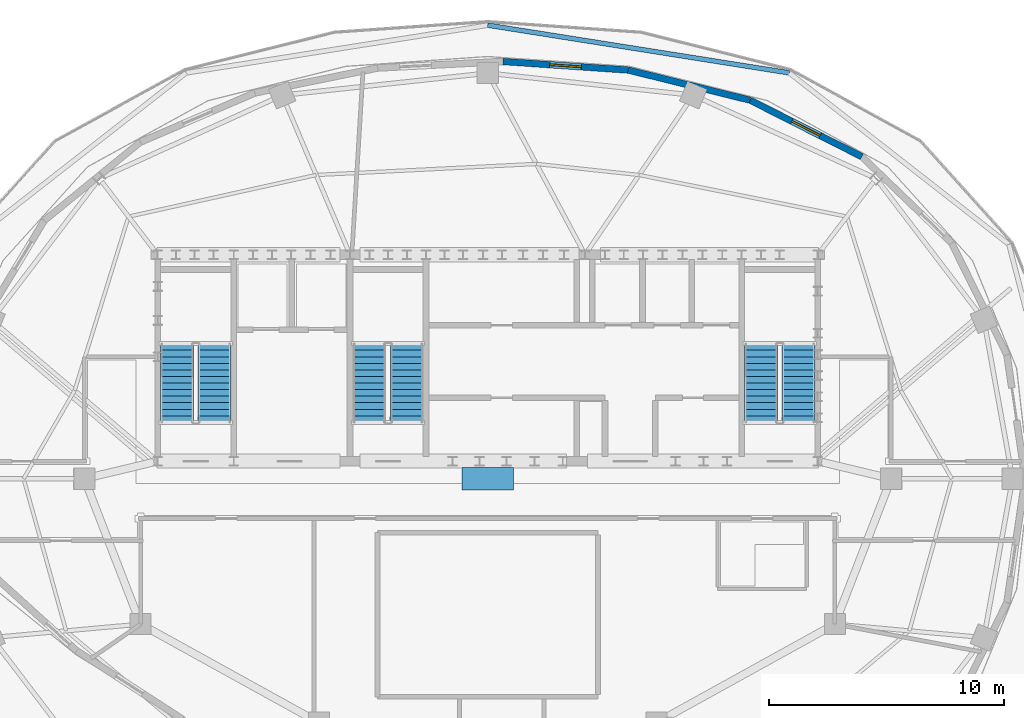
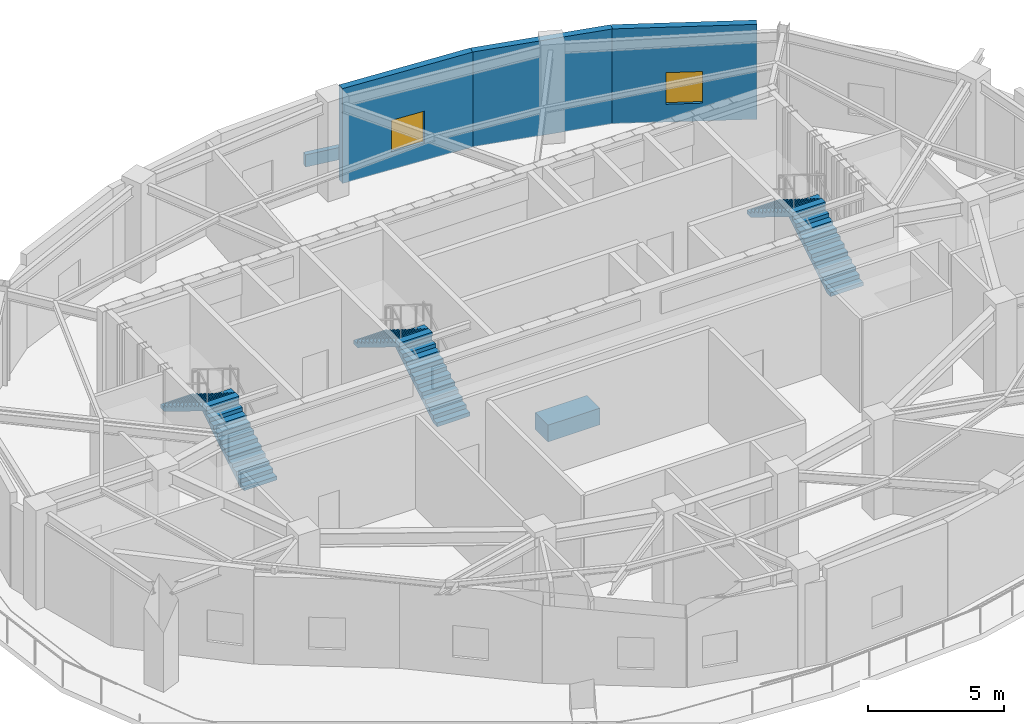
# One storey, part 6 of 10: 6 stair flights, 4 walls, 2 windows, 1 discrete accessory, 2 openings, 3 elements without a shape of their own.
"""IFC4 building model written with IfcOpenShell, lengths in metres."""

from ifc_helpers import new_model, si_unit, direction, frame, frame_2d, origin, origin_2d, place, context, subcontext, project, spatial, polyline, rectangle, outline, extrude, material, layer, layer_set, type_object, element, fill, aggregate, save


model = new_model("IFC4")

# Units and contexts
model_context = context("Model", 3, precision=1e-05, world=origin(), true_north=direction((0.0, 1.0)))
body_context = subcontext(model_context, "Body", "Model", "MODEL_VIEW")
ifc_project = project(units=[si_unit("LENGTHUNIT", "METRE"), si_unit("AREAUNIT", "SQUARE_METRE"), si_unit("VOLUMEUNIT", "CUBIC_METRE"), si_unit("PLANEANGLEUNIT", "RADIAN"), si_unit("MASSUNIT", "GRAM", prefix="KILO")], contexts=[model_context])

# Site, building, storey
site_placement = place(None, origin())
site = spatial("IfcSite", under=ifc_project, at=site_placement, CompositionType="ELEMENT")
building_placement = place(site_placement, origin())
building = spatial("IfcBuilding", under=site, at=building_placement, Name="Haldorwick Loom Tower", CompositionType="ELEMENT")
storey_placement = place(building_placement, frame((0.0, 0.0, 273.0)))
storey = spatial("IfcBuildingStorey", under=building, at=storey_placement, Name="L74", CompositionType="ELEMENT", Elevation=273.0)

# Wall, opening, window
ifc_material_1 = material(Name="Pressed Clay Face Brick and Insulated Masonry Backup Assembly", Category="masonry")
ifc_layer_1 = layer(ifc_material_1, 0.280029296875, Name="Pressed Clay Face Brick and Insulated Masonry Backup Assembly", Category="masonry")
ifc_layer_set_1 = layer_set([ifc_layer_1], Name="Pressed Clay Face Brick and Insulated Masonry Backup Assembly")
wall_type_1 = type_object("IfcWallType", Name="ARC-WL-EXT280", PredefinedType="STANDARD", material=ifc_layer_set_1)
wall_1_placement = place(storey_placement, frame((51.95703125, 39.728515625, 0.0), z_axis=(0.0, 0.0, 1.0), x_axis=(-0.892277906016, 0.451486587216, 0.0)))
wall_1 = element("IfcWall", 1, at=wall_1_placement, inside=storey, type_object=wall_type_1, Name="L74 Brick Pier and Spandrel Wall 4", PredefinedType="STANDARD", context=body_context, shape_type="SweptSolid", body=[
    extrude(rectangle(XDim=5.341552734375, YDim=0.280029296875, at=frame_2d((2.6708984375, 0.0))), origin(), (0.0, 0.0, 1.0), 4.260009765625),
])
opening_1_placement = place(wall_1_placement, frame((1.99560546875, 0.0, 0.800048828125)))
opening_1 = element("IfcOpeningElement", 2, at=opening_1_placement, cuts=wall_1, Name="Opening W-02B", PredefinedType="OPENING", context=body_context, shape_type="SweptSolid", body=[
    extrude(rectangle(XDim=1.35009765625, YDim=1.419921875, at=frame_2d((0.675048828125, 0.7099609375))), frame((0.0, 0.14990234375, 0.0), z_axis=(0.0, -1.0, 0.0), x_axis=(1.0, 0.0, 0.0)), (0.0, 0.0, 1.0), 0.300048828125),
])
ifc_material_2 = material(Name="Triple-Glazed Low-E Argon Insulated Glazing Unit", Category="glass")
window_type = type_object("IfcWindowType", Name="ARC-WIN-W135", PartitioningType="SINGLE_PANEL", PredefinedType="WINDOW", material=ifc_material_2)
window_1_placement = place(opening_1_placement, origin())
window_1 = element("IfcWindow", 3, at=window_1_placement, inside=storey, type_object=window_type, Name="L74 Deep-Set Zone 7A Window 4", OverallHeight=1.419921875, OverallWidth=1.35009765625, PartitioningType="SINGLE_PANEL", PredefinedType="WINDOW", context=body_context, shape_type="SweptSolid", body=[
    extrude(rectangle(XDim=1.35009765625, YDim=1.419921875, at=frame_2d((0.675048828125, 0.7099609375))), frame((0.0, 0.030029296875, 0.0), z_axis=(0.0, -1.0, 0.0), x_axis=(1.0, 0.0, 0.0)), (0.0, 0.0, 1.0), 0.06005859375),
])
fill(opening_1, window_1)

# Wall
wall_2_placement = place(storey_placement, frame((47.19091796875, 42.14013671875, 0.0), z_axis=(0.0, 0.0, 1.0), x_axis=(-0.970777153051, 0.239982747534, 0.0)))
element("IfcWall", 4, at=wall_2_placement, inside=storey, type_object=wall_type_1, Name="L74 Brick Pier and Spandrel Wall 5", PredefinedType="STANDARD", context=body_context, shape_type="SweptSolid", body=[
    extrude(rectangle(XDim=5.357177734375, YDim=0.280029296875, at=frame_2d((2.6787109375, 0.0))), origin(), (0.0, 0.0, 1.0), 4.260009765625),
])

# Wall, opening, window
wall_3_placement = place(storey_placement, frame((41.990234375, 43.42578125, 0.0), z_axis=(0.0, 0.0, 1.0), x_axis=(-0.997682285592, 0.068044522312, 0.0)))
wall_3 = element("IfcWall", 5, at=wall_3_placement, inside=storey, type_object=wall_type_1, Name="L74 Brick Pier and Spandrel Wall 6", PredefinedType="STANDARD", context=body_context, shape_type="SweptSolid", body=[
    extrude(rectangle(XDim=5.353271484375, YDim=0.280029296875, at=frame_2d((2.6767578125, 0.0))), origin(), (0.0, 0.0, 1.0), 4.260009765625),
])
opening_2_placement = place(wall_3_placement, frame((2.001708984375, 0.0, 0.800048828125)))
opening_2 = element("IfcOpeningElement", 6, at=opening_2_placement, cuts=wall_3, Name="Opening W-02B", PredefinedType="OPENING", context=body_context, shape_type="SweptSolid", body=[
    extrude(rectangle(XDim=1.35009765625, YDim=1.419921875, at=frame_2d((0.675048828125, 0.7099609375))), frame((0.0, 0.14990234375, 0.0), z_axis=(0.0, -1.0, 0.0), x_axis=(1.0, 0.0, 0.0)), (0.0, 0.0, 1.0), 0.300048828125),
])
window_2_placement = place(opening_2_placement, origin())
window_2 = element("IfcWindow", 7, at=window_2_placement, inside=storey, type_object=window_type, Name="L74 Deep-Set Zone 7A Window 6", OverallHeight=1.419921875, OverallWidth=1.35009765625, PartitioningType="SINGLE_PANEL", PredefinedType="WINDOW", context=body_context, shape_type="SweptSolid", body=[
    extrude(rectangle(XDim=1.35009765625, YDim=1.419921875, at=frame_2d((0.675048828125, 0.7099609375))), frame((0.0, 0.030029296875, 0.0), z_axis=(0.0, -1.0, 0.0), x_axis=(1.0, 0.0, 0.0)), (0.0, 0.0, 1.0), 0.06005859375),
])
fill(opening_2, window_2)

# Wall
ifc_layer_2 = layer(ifc_material_1, 0.199951171875, Name="Pressed Clay Face Brick and Insulated Masonry Backup Assembly", Category="masonry")
ifc_layer_set_2 = layer_set([ifc_layer_2], Name="Pressed Clay Face Brick and Insulated Masonry Backup Assembly")
wall_type_2 = type_object("IfcWallType", Name="ARC-WL-PARAPET200", PredefinedType="PARAPET", material=ifc_layer_set_2)
wall_4_placement = place(storey_placement, frame((36.0, 45.339599609375, 0.0), z_axis=(0.0, 0.0, 1.0), x_axis=(0.987705429193, -0.15632653371, 0.0)))
element("IfcWall", 8, at=wall_4_placement, inside=storey, type_object=wall_type_2, Name="L74 Terrace Masonry Parapet 4", PredefinedType="PARAPET", context=body_context, shape_type="SweptSolid", body=[
    extrude(rectangle(XDim=13.020263671875, YDim=0.199951171875, at=frame_2d((6.51025390625, 0.0))), origin(), (0.0, 0.0, 1.0), 0.550048828125),
])

# Stair, stair flights
ifc_material_3 = material(Name="Concrete C40 (40 MPa)", Category="concrete")
stair_type = type_object("IfcStairType", Name="STR-STR-CORE", PredefinedType="HALF_TURN_STAIR", material=ifc_material_3)
stair_1_placement = place(storey_placement, origin())
stair_1 = element("IfcStair", 9, at=stair_1_placement, inside=storey, type_object=stair_type, Name="L74 Exit Stair ST-01", PredefinedType="HALF_TURN_STAIR")
stair_flight_type = type_object("IfcStairFlightType", Name="STR-STF-1250", PredefinedType="STRAIGHT", material=ifc_material_3)
stair_flight_1_placement = place(storey_placement, frame((24.35009765625, 28.39990234375, 0.0), z_axis=(0.0, 0.0, 1.0), x_axis=(0.0, 1.0, 0.0)))
stair_flight_1 = element("IfcStairFlight", 10, at=stair_flight_1_placement, type_object=stair_flight_type, Name="ST-01 flight 1", NumberOfRisers=13, NumberOfTreads=12, PredefinedType="STRAIGHT", RiserHeight=0.173076923, TreadLength=0.28, context=body_context, shape_type="SweptSolid", body=[
    extrude(outline(polyline([(0.0, 0.0), (0.0, 0.173095703125), (0.280029296875, 0.173095703125), (0.280029296875, 0.34619140625), (0.56005859375, 0.34619140625), (0.56005859375, 0.519287109375), (0.840087890625, 0.519287109375), (0.840087890625, 0.6923828125), (1.1201171875, 0.6923828125), (1.1201171875, 0.865478515625), (1.39990234375, 0.865478515625), (1.39990234375, 1.03857421875), (1.679931640625, 1.03857421875), (1.679931640625, 1.21142578125), (1.9599609375, 1.21142578125), (1.9599609375, 1.384521484375), (2.239990234375, 1.384521484375), (2.239990234375, 1.5576171875), (2.52001953125, 1.5576171875), (2.52001953125, 1.730712890625), (2.800048828125, 1.730712890625), (2.800048828125, 1.90380859375), (3.080078125, 1.90380859375), (3.080078125, 2.076904296875), (3.360107421875, 2.076904296875), (3.360107421875, 2.25), (3.360107421875, 1.900634765625), (0.28515625, 0.0), (0.0, 0.0)])), frame((0.0, 0.699951171875, 0.0), z_axis=(0.0, -1.0, 0.0), x_axis=(1.0, 0.0, 0.0)), (0.0, 0.0, 1.0), 1.39990234375),
])
stair_flight_2_placement = place(storey_placement, frame((22.75, 31.760009765625, 2.25), z_axis=(0.0, 0.0, 1.0), x_axis=(0.0, -1.0, 0.0)))
stair_flight_2 = element("IfcStairFlight", 11, at=stair_flight_2_placement, type_object=stair_flight_type, Name="ST-01 flight 2", NumberOfRisers=13, NumberOfTreads=12, PredefinedType="STRAIGHT", RiserHeight=0.173076923, TreadLength=0.28, context=body_context, shape_type="SweptSolid", body=[
    extrude(outline(polyline([(0.0, 0.0), (0.0, 0.173095703125), (0.280029296875, 0.173095703125), (0.280029296875, 0.34619140625), (0.56005859375, 0.34619140625), (0.56005859375, 0.519287109375), (0.840087890625, 0.519287109375), (0.840087890625, 0.6923828125), (1.1201171875, 0.6923828125), (1.1201171875, 0.865478515625), (1.39990234375, 0.865478515625), (1.39990234375, 1.03857421875), (1.679931640625, 1.03857421875), (1.679931640625, 1.21142578125), (1.9599609375, 1.21142578125), (1.9599609375, 1.384521484375), (2.239990234375, 1.384521484375), (2.239990234375, 1.5576171875), (2.52001953125, 1.5576171875), (2.52001953125, 1.730712890625), (2.800048828125, 1.730712890625), (2.800048828125, 1.90380859375), (3.080078125, 1.90380859375), (3.080078125, 2.076904296875), (3.360107421875, 2.076904296875), (3.360107421875, 2.25), (3.360107421875, 1.900634765625), (0.28515625, 0.0), (0.0, 0.0)])), frame((0.0, 0.699951171875, 0.0), z_axis=(0.0, -1.0, 0.0), x_axis=(1.0, 0.0, 0.0)), (0.0, 0.0, 1.0), 1.39990234375),
])
aggregate(stair_1, [stair_flight_1, stair_flight_2])

stair_2_placement = place(storey_placement, origin())
stair_2 = element("IfcStair", 12, at=stair_2_placement, inside=storey, type_object=stair_type, Name="L74 Exit Stair ST-02", PredefinedType="HALF_TURN_STAIR")
stair_flight_3_placement = place(storey_placement, frame((49.25, 28.39990234375, 0.0), z_axis=(0.0, 0.0, 1.0), x_axis=(0.0, 1.0, 0.0)))
stair_flight_3 = element("IfcStairFlight", 13, at=stair_flight_3_placement, type_object=stair_flight_type, Name="ST-02 flight 1", NumberOfRisers=13, NumberOfTreads=12, PredefinedType="STRAIGHT", RiserHeight=0.173076923, TreadLength=0.28, context=body_context, shape_type="SweptSolid", body=[
    extrude(outline(polyline([(0.0, 0.0), (0.0, 0.173095703125), (0.280029296875, 0.173095703125), (0.280029296875, 0.34619140625), (0.56005859375, 0.34619140625), (0.56005859375, 0.519287109375), (0.840087890625, 0.519287109375), (0.840087890625, 0.6923828125), (1.1201171875, 0.6923828125), (1.1201171875, 0.865478515625), (1.39990234375, 0.865478515625), (1.39990234375, 1.03857421875), (1.679931640625, 1.03857421875), (1.679931640625, 1.21142578125), (1.9599609375, 1.21142578125), (1.9599609375, 1.384521484375), (2.239990234375, 1.384521484375), (2.239990234375, 1.5576171875), (2.52001953125, 1.5576171875), (2.52001953125, 1.730712890625), (2.800048828125, 1.730712890625), (2.800048828125, 1.90380859375), (3.080078125, 1.90380859375), (3.080078125, 2.076904296875), (3.360107421875, 2.076904296875), (3.360107421875, 2.25), (3.360107421875, 1.900634765625), (0.28515625, 0.0), (0.0, 0.0)])), frame((0.0, 0.699951171875, 0.0), z_axis=(0.0, -1.0, 0.0), x_axis=(1.0, 0.0, 0.0)), (0.0, 0.0, 1.0), 1.39990234375),
])
stair_flight_4_placement = place(storey_placement, frame((47.64990234375, 31.760009765625, 2.25), z_axis=(0.0, 0.0, 1.0), x_axis=(0.0, -1.0, 0.0)))
stair_flight_4 = element("IfcStairFlight", 14, at=stair_flight_4_placement, type_object=stair_flight_type, Name="ST-02 flight 2", NumberOfRisers=13, NumberOfTreads=12, PredefinedType="STRAIGHT", RiserHeight=0.173076923, TreadLength=0.28, context=body_context, shape_type="SweptSolid", body=[
    extrude(outline(polyline([(0.0, 0.0), (0.0, 0.173095703125), (0.280029296875, 0.173095703125), (0.280029296875, 0.34619140625), (0.56005859375, 0.34619140625), (0.56005859375, 0.519287109375), (0.840087890625, 0.519287109375), (0.840087890625, 0.6923828125), (1.1201171875, 0.6923828125), (1.1201171875, 0.865478515625), (1.39990234375, 0.865478515625), (1.39990234375, 1.03857421875), (1.679931640625, 1.03857421875), (1.679931640625, 1.21142578125), (1.9599609375, 1.21142578125), (1.9599609375, 1.384521484375), (2.239990234375, 1.384521484375), (2.239990234375, 1.5576171875), (2.52001953125, 1.5576171875), (2.52001953125, 1.730712890625), (2.800048828125, 1.730712890625), (2.800048828125, 1.90380859375), (3.080078125, 1.90380859375), (3.080078125, 2.076904296875), (3.360107421875, 2.076904296875), (3.360107421875, 2.25), (3.360107421875, 1.900634765625), (0.28515625, 0.0), (0.0, 0.0)])), frame((0.0, 0.699951171875, 0.0), z_axis=(0.0, -1.0, 0.0), x_axis=(1.0, 0.0, 0.0)), (0.0, 0.0, 1.0), 1.39990234375),
])
aggregate(stair_2, [stair_flight_3, stair_flight_4])

stair_3_placement = place(storey_placement, origin())
stair_3 = element("IfcStair", 15, at=stair_3_placement, inside=storey, type_object=stair_type, Name="L74 Exit Stair ST-03", PredefinedType="HALF_TURN_STAIR")
stair_flight_5_placement = place(storey_placement, frame((32.550048828125, 28.39990234375, 0.0), z_axis=(0.0, 0.0, 1.0), x_axis=(0.0, 1.0, 0.0)))
stair_flight_5 = element("IfcStairFlight", 16, at=stair_flight_5_placement, type_object=stair_flight_type, Name="ST-03 flight 1", NumberOfRisers=13, NumberOfTreads=12, PredefinedType="STRAIGHT", RiserHeight=0.173076923, TreadLength=0.28, context=body_context, shape_type="SweptSolid", body=[
    extrude(outline(polyline([(0.0, 0.0), (0.0, 0.173095703125), (0.280029296875, 0.173095703125), (0.280029296875, 0.34619140625), (0.56005859375, 0.34619140625), (0.56005859375, 0.519287109375), (0.840087890625, 0.519287109375), (0.840087890625, 0.6923828125), (1.1201171875, 0.6923828125), (1.1201171875, 0.865478515625), (1.39990234375, 0.865478515625), (1.39990234375, 1.03857421875), (1.679931640625, 1.03857421875), (1.679931640625, 1.21142578125), (1.9599609375, 1.21142578125), (1.9599609375, 1.384521484375), (2.239990234375, 1.384521484375), (2.239990234375, 1.5576171875), (2.52001953125, 1.5576171875), (2.52001953125, 1.730712890625), (2.800048828125, 1.730712890625), (2.800048828125, 1.90380859375), (3.080078125, 1.90380859375), (3.080078125, 2.076904296875), (3.360107421875, 2.076904296875), (3.360107421875, 2.25), (3.360107421875, 1.900634765625), (0.28515625, 0.0), (0.0, 0.0)])), frame((0.0, 0.699951171875, 0.0), z_axis=(0.0, -1.0, 0.0), x_axis=(1.0, 0.0, 0.0)), (0.0, 0.0, 1.0), 1.39990234375),
])
stair_flight_6_placement = place(storey_placement, frame((30.949951171875, 31.760009765625, 2.25), z_axis=(0.0, 0.0, 1.0), x_axis=(0.0, -1.0, 0.0)))
stair_flight_6 = element("IfcStairFlight", 17, at=stair_flight_6_placement, type_object=stair_flight_type, Name="ST-03 flight 2", NumberOfRisers=13, NumberOfTreads=12, PredefinedType="STRAIGHT", RiserHeight=0.173076923, TreadLength=0.28, context=body_context, shape_type="SweptSolid", body=[
    extrude(outline(polyline([(0.0, 0.0), (0.0, 0.173095703125), (0.280029296875, 0.173095703125), (0.280029296875, 0.34619140625), (0.56005859375, 0.34619140625), (0.56005859375, 0.519287109375), (0.840087890625, 0.519287109375), (0.840087890625, 0.6923828125), (1.1201171875, 0.6923828125), (1.1201171875, 0.865478515625), (1.39990234375, 0.865478515625), (1.39990234375, 1.03857421875), (1.679931640625, 1.03857421875), (1.679931640625, 1.21142578125), (1.9599609375, 1.21142578125), (1.9599609375, 1.384521484375), (2.239990234375, 1.384521484375), (2.239990234375, 1.5576171875), (2.52001953125, 1.5576171875), (2.52001953125, 1.730712890625), (2.800048828125, 1.730712890625), (2.800048828125, 1.90380859375), (3.080078125, 1.90380859375), (3.080078125, 2.076904296875), (3.360107421875, 2.076904296875), (3.360107421875, 2.25), (3.360107421875, 1.900634765625), (0.28515625, 0.0), (0.0, 0.0)])), frame((0.0, 0.699951171875, 0.0), z_axis=(0.0, -1.0, 0.0), x_axis=(1.0, 0.0, 0.0)), (0.0, 0.0, 1.0), 1.39990234375),
])
aggregate(stair_3, [stair_flight_5, stair_flight_6])

# Discrete accessory
ifc_material_4 = material(Name="Architectural Precast Concrete C40 (40 MPa)", Category="concrete")
discrete_accessory_type = type_object("IfcDiscreteAccessoryType", Name="ARC-ACC-PLANTER", PredefinedType="USERDEFINED", material=ifc_material_4)
discrete_accessory_placement = place(storey_placement, frame((36.0, 26.001220703125, 0.0), z_axis=(0.0, 0.0, 1.0), x_axis=(1.0, 0.0, 0.0)))
element("IfcDiscreteAccessory", 18, at=discrete_accessory_placement, inside=storey, type_object=discrete_accessory_type, Name="L74 Setback Terrace Planter", ObjectType="PLANTER", PredefinedType="USERDEFINED", context=body_context, shape_type="SweptSolid", body=[
    extrude(rectangle(XDim=2.199951171875, YDim=0.949951171875, at=origin_2d()), origin(), (0.0, 0.0, 1.0), 0.75),
])

save(model, "model.ifc")
